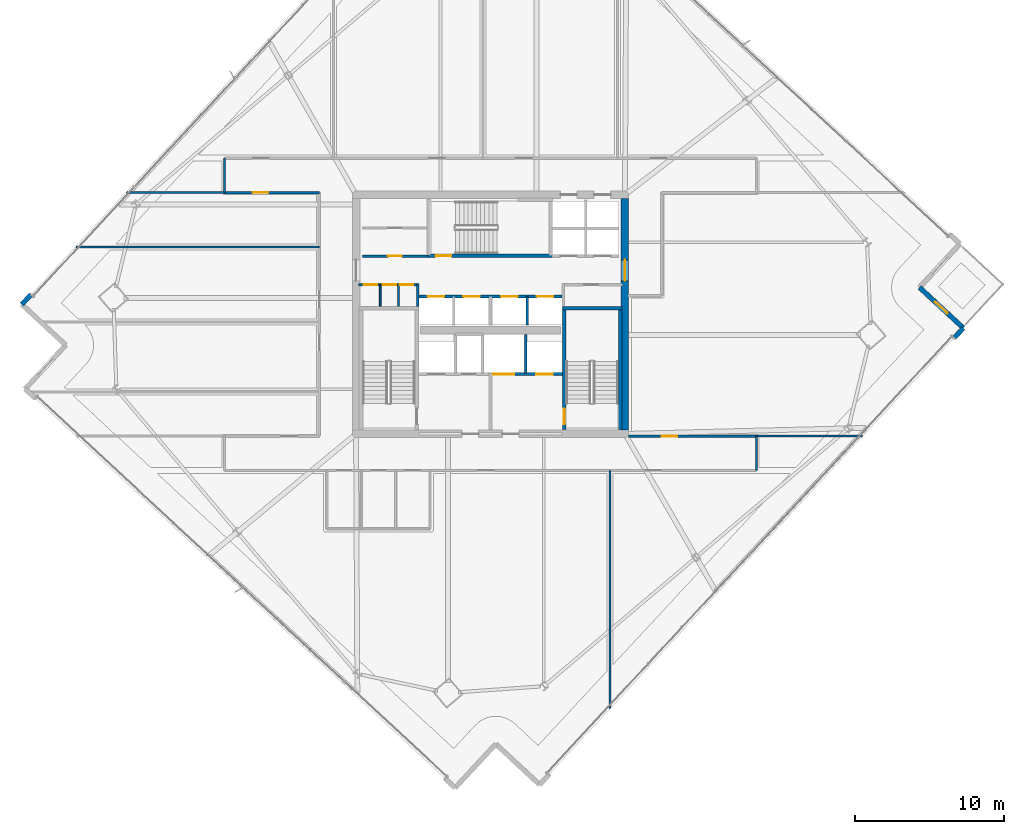
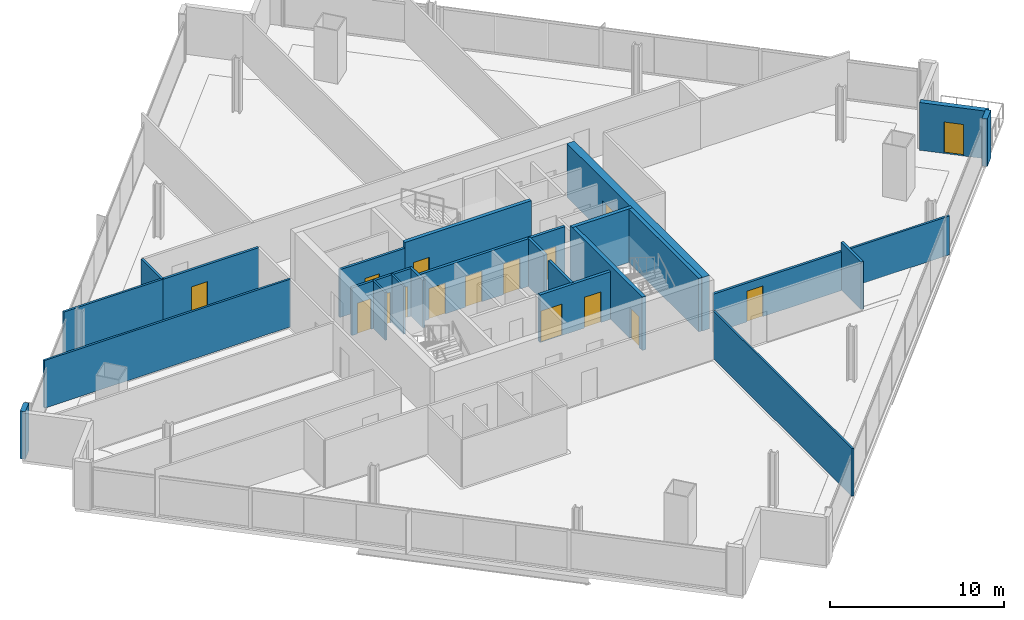
# One storey, part 25 of 32: 25 walls, 16 doors, 16 openings.
"""IFC4 building model written with IfcOpenShell, lengths in metres."""

from ifc_helpers import new_model, si_unit, direction, frame, frame_2d, origin, place, context, subcontext, project, spatial, rectangle, extrude, material, layer, layer_set, type_object, element, fill, save


model = new_model("IFC4")

# Units and contexts
model_context = context("Model", 3, precision=1e-05, world=origin(), true_north=direction((0.0, 1.0)))
body_context = subcontext(model_context, "Body", "Model", "MODEL_VIEW")
ifc_project = project(units=[si_unit("LENGTHUNIT", "METRE"), si_unit("AREAUNIT", "SQUARE_METRE"), si_unit("VOLUMEUNIT", "CUBIC_METRE"), si_unit("PLANEANGLEUNIT", "RADIAN"), si_unit("MASSUNIT", "GRAM", prefix="KILO")], contexts=[model_context])

# Site, building, storey
site_placement = place(None, origin())
site = spatial("IfcSite", under=ifc_project, at=site_placement, CompositionType="ELEMENT")
building_placement = place(site_placement, origin())
building = spatial("IfcBuilding", under=site, at=building_placement, Name="Haldenkirk Collegiate Tower", CompositionType="ELEMENT")
storey_placement = place(building_placement, frame((0.0, 0.0, 185.699951171875)))
storey = spatial("IfcBuildingStorey", under=building, at=storey_placement, Name="L46", CompositionType="ELEMENT", Elevation=185.699951171875)

# Wall, opening, door
ifc_material_1 = material(Name="Concrete f'c 55 MPa", Category="concrete")
ifc_layer_1 = layer(ifc_material_1, 0.5)
ifc_layer_set_1 = layer_set([ifc_layer_1], Name="Concrete f'c 55 MPa")
wall_type_1 = type_object("IfcWallType", Name="WL-CORE-500", PredefinedType="SHEAR", material=ifc_layer_set_1)
wall_1_placement = place(storey_placement, frame((45.0, 18.25, 0.0), z_axis=(0.0, 0.0, 1.0), x_axis=(0.0, 1.0, 0.0)))
wall_1 = element("IfcWall", 1, at=wall_1_placement, inside=storey, type_object=wall_type_1, Name="L46 central core shear wall E", PredefinedType="SHEAR", context=body_context, shape_type="SweptSolid", body=[
    extrude(rectangle(XDim=15.5, YDim=0.5, at=frame_2d((7.75, 0.0))), origin(), (0.0, 0.0, 1.0), 3.75),
])
opening_1_placement = place(wall_1_placement, frame((9.989990234375, 0.0, 0.0)))
opening_1 = element("IfcOpeningElement", 2, at=opening_1_placement, cuts=wall_1, Name="Opening D-03", PredefinedType="OPENING", context=body_context, shape_type="SweptSolid", body=[
    extrude(rectangle(XDim=1.39990234375, YDim=2.199951171875, at=frame_2d((0.699951171875, 1.10009765625))), frame((0.0, 0.260009765625, 0.0), z_axis=(0.0, -1.0, 0.0), x_axis=(1.0, 0.0, 0.0)), (0.0, 0.0, 1.0), 0.52001953125),
])
ifc_material_2 = material(Name="Galvanized fire-rated hollow steel door", Category="steel")
ifc_layer_2 = layer(ifc_material_2, 0.06005859375)
ifc_layer_set_2 = layer_set([ifc_layer_2], Name="Galvanized fire-rated hollow steel door")
door_type_1 = type_object("IfcDoorType", Name="DR-LOBBY-FD90-1400", OperationType="NOTDEFINED", PredefinedType="DOOR", material=ifc_layer_set_2)
door_1_placement = place(opening_1_placement, origin())
door_1 = element("IfcDoor", 3, at=door_1_placement, inside=storey, type_object=door_type_1, Name="L46 east lift lobby portal", OperationType="DOUBLE_DOOR_SINGLE_SWING", OverallHeight=2.199951171875, OverallWidth=1.39990234375, PredefinedType="DOOR", context=body_context, shape_type="SweptSolid", body=[
    extrude(rectangle(XDim=1.39990234375, YDim=2.199951171875, at=frame_2d((0.699951171875, 1.10009765625))), frame((0.0, 0.02490234375, 0.0), z_axis=(0.0, -1.0, 0.0), x_axis=(1.0, 0.0, 0.0)), (0.0, 0.0, 1.0), 0.050048828125),
])
fill(opening_1, door_1)

# Wall
ifc_material_3 = material(Name="Precast concrete f'c 40 MPa", Category="concrete")
ifc_layer_3 = layer(ifc_material_3, 0.320068359375)
ifc_layer_set_3 = layer_set([ifc_layer_3], Name="Precast concrete f'c 40 MPa")
wall_type_2 = type_object("IfcWallType", Name="WL-EXT-TWR-320", PredefinedType="STANDARD", material=ifc_layer_set_3)
wall_2_placement = place(storey_placement, frame((67.646728515625, 25.0830078125, 0.0), z_axis=(0.0, 0.0, 1.0), x_axis=(-0.680024415169, -0.733189467173, 0.0)))
element("IfcWall", 4, at=wall_2_placement, inside=storey, type_object=wall_type_2, Name="L46 precast corner pier SL", PredefinedType="STANDARD", context=body_context, shape_type="SweptSolid", body=[
    extrude(rectangle(XDim=0.900146484375, YDim=0.320068359375, at=frame_2d((0.4501953125, 0.0))), origin(), (0.0, 0.0, 1.0), 3.340087890625),
])

# Wall, opening, door
wall_3_placement = place(storey_placement, frame((64.714111328125, 27.80322265625, 0.0), z_axis=(0.0, 0.0, 1.0), x_axis=(0.733158595841, -0.68005769854, 0.0)))
wall_3 = element("IfcWall", 5, at=wall_3_placement, inside=storey, type_object=wall_type_2, Name="L46 bronze precast notch wall 02", PredefinedType="STANDARD", context=body_context, shape_type="SweptSolid", body=[
    extrude(rectangle(XDim=4.0, YDim=0.320068359375, at=frame_2d((2.0, 0.0))), origin(), (0.0, 0.0, 1.0), 3.340087890625),
])
opening_2_placement = place(wall_3_placement, frame((1.425048828125, 0.0, 0.0)))
opening_2 = element("IfcOpeningElement", 6, at=opening_2_placement, cuts=wall_3, Name="Opening D-ST11", PredefinedType="OPENING", context=body_context, shape_type="SweptSolid", body=[
    extrude(rectangle(XDim=1.14990234375, YDim=2.199951171875, at=frame_2d((0.574951171875, 1.10009765625))), frame((0.0, 0.169921875, 0.0), z_axis=(0.0, -1.0, 0.0), x_axis=(1.0, 0.0, 0.0)), (0.0, 0.0, 1.0), 0.340087890625),
])
ifc_material_4 = material(Name="Anodised architectural bronze aluminium", Category="aluminium")
ifc_layer_4 = layer(ifc_material_4, 0.080078125)
ifc_layer_set_4 = layer_set([ifc_layer_4], Name="Anodised architectural bronze aluminium")
door_type_2 = type_object("IfcDoorType", Name="DR-EXT-STER-1150", OperationType="NOTDEFINED", PredefinedType="DOOR", material=ifc_layer_set_4)
door_2_placement = place(opening_2_placement, origin())
door_2 = element("IfcDoor", 7, at=door_2_placement, inside=storey, type_object=door_type_2, Name="L46 spiralling terrace door", OperationType="SINGLE_SWING_LEFT", OverallHeight=2.199951171875, OverallWidth=1.14990234375, PredefinedType="DOOR", context=body_context, shape_type="SweptSolid", body=[
    extrude(rectangle(XDim=1.14990234375, YDim=2.199951171875, at=frame_2d((0.574951171875, 1.10009765625))), frame((0.0, 0.02490234375, 0.0), z_axis=(0.0, -1.0, 0.0), x_axis=(1.0, 0.0, 0.0)), (0.0, 0.0, 1.0), 0.050048828125),
])
fill(opening_2, door_2)

# Wall
wall_4_placement = place(storey_placement, frame((4.628173828125, 26.662109375, 0.0), z_axis=(0.0, 0.0, 1.0), x_axis=(0.680159672281, 0.733063994616, 0.0)))
element("IfcWall", 8, at=wall_4_placement, inside=storey, type_object=wall_type_2, Name="L46 precast corner pier NL", PredefinedType="STANDARD", context=body_context, shape_type="SweptSolid", body=[
    extrude(rectangle(XDim=0.89990234375, YDim=0.320068359375, at=frame_2d((0.449951171875, 0.0))), origin(), (0.0, 0.0, 1.0), 3.340087890625),
])

# Wall, openings, doors
ifc_material_5 = material(Name="Acoustic fire-rated gypsum partition", Category="concrete")
ifc_layer_5 = layer(ifc_material_5, 0.159912109375)
ifc_layer_set_5 = layer_set([ifc_layer_5], Name="Acoustic fire-rated gypsum partition")
wall_type_3 = type_object("IfcWallType", Name="WL-INT-CORR-160", PredefinedType="PARTITIONING", material=ifc_layer_set_5)
wall_5_placement = place(storey_placement, frame((27.14990234375, 27.97998046875, 0.0), z_axis=(0.0, 0.0, 1.0), x_axis=(1.0, 0.0, 0.0)))
wall_5 = element("IfcWall", 9, at=wall_5_placement, inside=storey, type_object=wall_type_3, Name="L46 interior partition IW-L46-VCSW-N", PredefinedType="PARTITIONING", context=body_context, shape_type="SweptSolid", body=[
    extrude(rectangle(XDim=4.050048828125, YDim=0.159912109375, at=frame_2d((2.02490234375, 0.0))), origin(), (0.0, 0.0, 1.0), 3.340087890625),
])
opening_3_placement = place(wall_5_placement, frame((0.360107421875, 0.0, 0.0)))
opening_3 = element("IfcOpeningElement", 10, at=opening_3_placement, cuts=wall_5, Name="Opening D-11", PredefinedType="OPENING", context=body_context, shape_type="SweptSolid", body=[
    extrude(rectangle(XDim=0.89990234375, YDim=2.14990234375, at=frame_2d((0.449951171875, 1.074951171875))), frame((0.0, 0.08984375, 0.0), z_axis=(0.0, -1.0, 0.0), x_axis=(1.0, 0.0, 0.0)), (0.0, 0.0, 1.0), 0.179931640625),
])
opening_4_placement = place(wall_5_placement, frame((1.6298828125, 0.0, 0.0)))
opening_4 = element("IfcOpeningElement", 11, at=opening_4_placement, cuts=wall_5, Name="Opening D-11", PredefinedType="OPENING", context=body_context, shape_type="SweptSolid", body=[
    extrude(rectangle(XDim=0.89990234375, YDim=2.14990234375, at=frame_2d((0.449951171875, 1.074951171875))), frame((0.0, 0.08984375, 0.0), z_axis=(0.0, -1.0, 0.0), x_axis=(1.0, 0.0, 0.0)), (0.0, 0.0, 1.0), 0.179931640625),
])
opening_5_placement = place(wall_5_placement, frame((2.78759765625, 0.0, 0.0)))
opening_5 = element("IfcOpeningElement", 12, at=opening_5_placement, cuts=wall_5, Name="Opening D-11", PredefinedType="OPENING", context=body_context, shape_type="SweptSolid", body=[
    extrude(rectangle(XDim=0.89990234375, YDim=2.14990234375, at=frame_2d((0.449951171875, 1.074951171875))), frame((0.0, 0.08984375, 0.0), z_axis=(0.0, -1.0, 0.0), x_axis=(1.0, 0.0, 0.0)), (0.0, 0.0, 1.0), 0.179931640625),
])
ifc_material_6 = material(Name="Solid-core architectural oak fire door", Category="wood")
ifc_layer_6 = layer(ifc_material_6, 0.06005859375)
ifc_layer_set_6 = layer_set([ifc_layer_6], Name="Solid-core architectural oak fire door")
door_type_3 = type_object("IfcDoorType", Name="DR-INT-FD60-900", OperationType="NOTDEFINED", PredefinedType="DOOR", material=ifc_layer_set_6)
door_3_placement = place(opening_3_placement, origin())
door_3 = element("IfcDoor", 13, at=door_3_placement, inside=storey, type_object=door_type_3, Name="L46 core study booth door", OperationType="SINGLE_SWING_LEFT", OverallHeight=2.14990234375, OverallWidth=0.89990234375, PredefinedType="DOOR", context=body_context, shape_type="SweptSolid", body=[
    extrude(rectangle(XDim=0.89990234375, YDim=2.14990234375, at=frame_2d((0.449951171875, 1.074951171875))), frame((0.0, 0.02490234375, 0.0), z_axis=(0.0, -1.0, 0.0), x_axis=(1.0, 0.0, 0.0)), (0.0, 0.0, 1.0), 0.050048828125),
])
fill(opening_3, door_3)
door_4_placement = place(opening_4_placement, origin())
door_4 = element("IfcDoor", 14, at=door_4_placement, inside=storey, type_object=door_type_3, Name="L46 core cleaners door", OperationType="SINGLE_SWING_RIGHT", OverallHeight=2.14990234375, OverallWidth=0.89990234375, PredefinedType="DOOR", context=body_context, shape_type="SweptSolid", body=[
    extrude(rectangle(XDim=0.89990234375, YDim=2.14990234375, at=frame_2d((0.449951171875, 1.074951171875))), frame((0.0, 0.02490234375, 0.0), z_axis=(0.0, -1.0, 0.0), x_axis=(1.0, 0.0, 0.0)), (0.0, 0.0, 1.0), 0.050048828125),
])
fill(opening_4, door_4)
door_5_placement = place(opening_5_placement, origin())
door_5 = element("IfcDoor", 15, at=door_5_placement, inside=storey, type_object=door_type_3, Name="L46 core stationery door", OperationType="SINGLE_SWING_LEFT", OverallHeight=2.14990234375, OverallWidth=0.89990234375, PredefinedType="DOOR", context=body_context, shape_type="SweptSolid", body=[
    extrude(rectangle(XDim=0.89990234375, YDim=2.14990234375, at=frame_2d((0.449951171875, 1.074951171875))), frame((0.0, 0.02490234375, 0.0), z_axis=(0.0, -1.0, 0.0), x_axis=(1.0, 0.0, 0.0)), (0.0, 0.0, 1.0), 0.050048828125),
])
fill(opening_5, door_5)

# Wall
wall_6_placement = place(storey_placement, frame((31.1201171875, 26.5400390625, 0.0), z_axis=(0.0, 0.0, 1.0), x_axis=(0.0, 1.0, 0.0)))
element("IfcWall", 16, at=wall_6_placement, inside=storey, type_object=wall_type_3, Name="L46 interior partition IW-L46-VCSW-E", PredefinedType="PARTITIONING", context=body_context, shape_type="SweptSolid", body=[
    extrude(rectangle(XDim=1.510009765625, YDim=0.159912109375, at=frame_2d((0.7548828125, 0.0))), origin(), (0.0, 0.0, 1.0), 3.340087890625),
])

# Wall, opening, door
wall_7_placement = place(storey_placement, frame((27.449951171875, 29.89990234375, 0.0), z_axis=(0.0, 0.0, 1.0), x_axis=(1.0, 0.0, 0.0)))
wall_7 = element("IfcWall", 17, at=wall_7_placement, inside=storey, type_object=wall_type_3, Name="L46 interior partition IW-L46-PLS", PredefinedType="PARTITIONING", context=body_context, shape_type="SweptSolid", body=[
    extrude(rectangle(XDim=4.429931640625, YDim=0.159912109375, at=frame_2d((2.21484375, 0.0))), origin(), (0.0, 0.0, 1.0), 3.340087890625),
])
opening_6_placement = place(wall_7_placement, frame((1.675048828125, 0.0, 0.0)))
opening_6 = element("IfcOpeningElement", 18, at=opening_6_placement, cuts=wall_7, Name="Opening D-10", PredefinedType="OPENING", context=body_context, shape_type="SweptSolid", body=[
    extrude(rectangle(XDim=0.949951171875, YDim=2.14990234375, at=frame_2d((0.47509765625, 1.074951171875))), frame((0.0, 0.08984375, 0.0), z_axis=(0.0, -1.0, 0.0), x_axis=(1.0, 0.0, 0.0)), (0.0, 0.0, 1.0), 0.179931640625),
])
ifc_layer_7 = layer(ifc_material_6, 0.06005859375)
ifc_layer_set_7 = layer_set([ifc_layer_7], Name="Solid-core architectural oak fire door")
door_type_4 = type_object("IfcDoorType", Name="DR-INT-FD60-950", OperationType="NOTDEFINED", PredefinedType="DOOR", material=ifc_layer_set_7)
door_6_placement = place(opening_6_placement, origin())
door_6 = element("IfcDoor", 19, at=door_6_placement, inside=storey, type_object=door_type_4, Name="L46 consultation door", OperationType="SINGLE_SWING_LEFT", OverallHeight=2.14990234375, OverallWidth=0.949951171875, PredefinedType="DOOR", context=body_context, shape_type="SweptSolid", body=[
    extrude(rectangle(XDim=0.949951171875, YDim=2.14990234375, at=frame_2d((0.47509765625, 1.074951171875))), frame((0.0, 0.02490234375, 0.0), z_axis=(0.0, -1.0, 0.0), x_axis=(1.0, 0.0, 0.0)), (0.0, 0.0, 1.0), 0.050048828125),
])
fill(opening_6, door_6)

wall_8_placement = place(storey_placement, frame((45.25, 17.85009765625, 0.0), z_axis=(0.0, 0.0, 1.0), x_axis=(1.0, 0.0, 0.0)))
wall_8 = element("IfcWall", 20, at=wall_8_placement, inside=storey, type_object=wall_type_3, Name="L46 interior partition IW-L46-CSE", PredefinedType="PARTITIONING", context=body_context, shape_type="SweptSolid", body=[
    extrude(rectangle(XDim=8.550048828125, YDim=0.159912109375, at=frame_2d((4.27490234375, 0.0))), origin(), (0.0, 0.0, 1.0), 2.718994140625),
])
opening_7_placement = place(wall_8_placement, frame((2.2109375, 0.0, 0.0)))
opening_7 = element("IfcOpeningElement", 21, at=opening_7_placement, cuts=wall_8, Name="Opening D-09", PredefinedType="OPENING", context=body_context, shape_type="SweptSolid", body=[
    extrude(rectangle(XDim=1.050048828125, YDim=2.14990234375, at=frame_2d((0.52490234375, 1.074951171875))), frame((0.0, 0.08984375, 0.0), z_axis=(0.0, -1.0, 0.0), x_axis=(1.0, 0.0, 0.0)), (0.0, 0.0, 1.0), 0.179931640625),
])
ifc_layer_8 = layer(ifc_material_6, 0.06005859375)
ifc_layer_set_8 = layer_set([ifc_layer_8], Name="Solid-core architectural oak fire door")
door_type_5 = type_object("IfcDoorType", Name="DR-INT-FD60-1050", OperationType="NOTDEFINED", PredefinedType="DOOR", material=ifc_layer_set_8)
door_7_placement = place(opening_7_placement, origin())
door_7 = element("IfcDoor", 22, at=door_7_placement, inside=storey, type_object=door_type_5, Name="L46 Graduate Seminar Room 11 door", OperationType="SINGLE_SWING_RIGHT", OverallHeight=2.14990234375, OverallWidth=1.050048828125, PredefinedType="DOOR", context=body_context, shape_type="SweptSolid", body=[
    extrude(rectangle(XDim=1.050048828125, YDim=2.14990234375, at=frame_2d((0.52490234375, 1.074951171875))), frame((0.0, 0.02490234375, 0.0), z_axis=(0.0, -1.0, 0.0), x_axis=(1.0, 0.0, 0.0)), (0.0, 0.0, 1.0), 0.050048828125),
])
fill(opening_7, door_7)

wall_9_placement = place(storey_placement, frame((18.199951171875, 34.14990234375, 0.0), z_axis=(0.0, 0.0, 1.0), x_axis=(1.0, 0.0, 0.0)))
wall_9 = element("IfcWall", 23, at=wall_9_placement, inside=storey, type_object=wall_type_3, Name="L46 interior partition IW-L46-CNW", PredefinedType="PARTITIONING", context=body_context, shape_type="SweptSolid", body=[
    extrude(rectangle(XDim=6.35009765625, YDim=0.159912109375, at=frame_2d((3.175048828125, 0.0))), origin(), (0.0, 0.0, 1.0), 3.340087890625),
])
opening_8_placement = place(wall_9_placement, frame((1.887939453125, 0.0, 0.0)))
opening_8 = element("IfcOpeningElement", 24, at=opening_8_placement, cuts=wall_9, Name="Opening D-09", PredefinedType="OPENING", context=body_context, shape_type="SweptSolid", body=[
    extrude(rectangle(XDim=1.050048828125, YDim=2.14990234375, at=frame_2d((0.52490234375, 1.074951171875))), frame((0.0, 0.08984375, 0.0), z_axis=(0.0, -1.0, 0.0), x_axis=(1.0, 0.0, 0.0)), (0.0, 0.0, 1.0), 0.179931640625),
])
door_8_placement = place(opening_8_placement, origin())
door_8 = element("IfcDoor", 25, at=door_8_placement, inside=storey, type_object=door_type_5, Name="L46 Faculty Tea Kitchen 10 door", OperationType="SINGLE_SWING_LEFT", OverallHeight=2.14990234375, OverallWidth=1.050048828125, PredefinedType="DOOR", context=body_context, shape_type="SweptSolid", body=[
    extrude(rectangle(XDim=1.050048828125, YDim=2.14990234375, at=frame_2d((0.52490234375, 1.074951171875))), frame((0.0, 0.02490234375, 0.0), z_axis=(0.0, -1.0, 0.0), x_axis=(1.0, 0.0, 0.0)), (0.0, 0.0, 1.0), 0.050048828125),
])
fill(opening_8, door_8)

# Walls
for number, where, z_axis, x_axis, name in (
    (26, (53.800048828125, 15.550048828125, 0.0), (0.0, 0.0, 1.0), (0.0, 1.0, 0.0), "L46 interior partition IW-L46-CSR"),
    (27, (18.199951171875, 34.14990234375, 0.0), (0.0, 0.0, 1.0), (0.0, 1.0, 0.0), "L46 interior partition IW-L46-CNL"),
):
    element("IfcWall", number, at=place(storey_placement, frame(where, z_axis=z_axis, x_axis=x_axis)), inside=storey, type_object=wall_type_3, Name=name, PredefinedType="PARTITIONING", context=body_context, shape_type="SweptSolid", body=[
        extrude(rectangle(XDim=2.300048828125, YDim=0.159912109375, at=frame_2d((1.14990234375, 0.0))), origin(), (0.0, 0.0, 1.0), 3.340087890625),
    ])
ifc_layer_9 = layer(ifc_material_5, 0.139892578125)
ifc_layer_set_9 = layer_set([ifc_layer_9], Name="Acoustic fire-rated gypsum partition")
wall_type_4 = type_object("IfcWallType", Name="WL-INT-DIV-140", PredefinedType="PARTITIONING", material=ifc_layer_set_9)
wall_10_placement = place(storey_placement, frame((11.62890625, 34.14990234375, 0.0), z_axis=(0.0, 0.0, 1.0), x_axis=(1.0, 0.0, 0.0)))
element("IfcWall", 28, at=wall_10_placement, inside=storey, type_object=wall_type_4, Name="L46 interior partition IW-L46-BWN", PredefinedType="PARTITIONING", context=body_context, shape_type="SweptSolid", body=[
    extrude(rectangle(XDim=6.571044921875, YDim=0.139892578125, at=frame_2d((3.28564453125, 0.0))), origin(), (0.0, 0.0, 1.0), 3.340087890625),
])
wall_11_placement = place(storey_placement, frame((53.800048828125, 17.85009765625, 0.0), z_axis=(0.0, 0.0, 1.0), x_axis=(1.0, 0.0, 0.0)))
element("IfcWall", 29, at=wall_11_placement, inside=storey, type_object=wall_type_4, Name="L46 interior partition IW-L46-BES", PredefinedType="PARTITIONING", context=body_context, shape_type="SweptSolid", body=[
    extrude(rectangle(XDim=7.08251953125, YDim=0.139892578125, at=frame_2d((3.541259765625, 0.0))), origin(), (0.0, 0.0, 1.0), 2.718994140625),
])
wall_12_placement = place(storey_placement, frame((8.242919921875, 30.5, 0.0), z_axis=(0.0, 0.0, 1.0), x_axis=(1.0, 0.0, 0.0)))
element("IfcWall", 30, at=wall_12_placement, inside=storey, type_object=wall_type_4, Name="L46 interior partition IW-L46-RW3", PredefinedType="PARTITIONING", context=body_context, shape_type="SweptSolid", body=[
    extrude(rectangle(XDim=16.30712890625, YDim=0.139892578125, at=frame_2d((8.153564453125, 0.0))), origin(), (0.0, 0.0, 1.0), 3.340087890625),
])
ifc_material_7 = material(Name="Fire-rated gypsum shaftboard assembly", Category="concrete")
ifc_layer_10 = layer(ifc_material_7, 0.179931640625)
ifc_layer_set_10 = layer_set([ifc_layer_10], Name="Fire-rated gypsum shaftboard assembly")
wall_type_5 = type_object("IfcWallType", Name="WL-INT-SHAFT-180", PredefinedType="PARTITIONING", material=ifc_layer_set_10)
wall_13_placement = place(storey_placement, frame((38.35009765625, 22.050048828125, 0.0), z_axis=(0.0, 0.0, 1.0), x_axis=(0.0, 1.0, 0.0)))
element("IfcWall", 31, at=wall_13_placement, inside=storey, type_object=wall_type_5, Name="L46 interior partition IW-L46-GL1E", PredefinedType="PARTITIONING", context=body_context, shape_type="SweptSolid", body=[
    extrude(rectangle(XDim=2.599853515625, YDim=0.179931640625, at=frame_2d((1.2998046875, 0.0))), origin(), (0.0, 0.0, 1.0), 3.340087890625),
])

# Wall, openings, doors
wall_14_placement = place(storey_placement, frame((31.199951171875, 27.199951171875, 0.0), z_axis=(0.0, 0.0, 1.0), x_axis=(1.0, 0.0, 0.0)))
wall_14 = element("IfcWall", 32, at=wall_14_placement, inside=storey, type_object=wall_type_5, Name="L46 interior partition IW-L46-PHN", PredefinedType="PARTITIONING", context=body_context, shape_type="SweptSolid", body=[
    extrude(rectangle(XDim=9.60009765625, YDim=0.179931640625, at=frame_2d((4.800048828125, 0.0))), origin(), (0.0, 0.0, 1.0), 3.340087890625),
])
opening_9_placement = place(wall_14_placement, frame((0.590087890625, 0.0, 0.0)))
opening_9 = element("IfcOpeningElement", 33, at=opening_9_placement, cuts=wall_14, Name="Opening LD-11", PredefinedType="OPENING", context=body_context, shape_type="SweptSolid", body=[
    extrude(rectangle(XDim=1.10009765625, YDim=2.14990234375, at=frame_2d((0.550048828125, 1.074951171875))), frame((0.0, 0.099853515625, 0.0), z_axis=(0.0, -1.0, 0.0), x_axis=(1.0, 0.0, 0.0)), (0.0, 0.0, 1.0), 0.199951171875),
])
opening_10_placement = place(wall_14_placement, frame((2.989990234375, 0.0, 0.0)))
opening_10 = element("IfcOpeningElement", 34, at=opening_10_placement, cuts=wall_14, Name="Opening LD-11", PredefinedType="OPENING", context=body_context, shape_type="SweptSolid", body=[
    extrude(rectangle(XDim=1.10009765625, YDim=2.14990234375, at=frame_2d((0.550048828125, 1.074951171875))), frame((0.0, 0.099853515625, 0.0), z_axis=(0.0, -1.0, 0.0), x_axis=(1.0, 0.0, 0.0)), (0.0, 0.0, 1.0), 0.199951171875),
])
opening_11_placement = place(wall_14_placement, frame((5.510009765625, 0.0, 0.0)))
opening_11 = element("IfcOpeningElement", 35, at=opening_11_placement, cuts=wall_14, Name="Opening LD-11", PredefinedType="OPENING", context=body_context, shape_type="SweptSolid", body=[
    extrude(rectangle(XDim=1.10009765625, YDim=2.14990234375, at=frame_2d((0.550048828125, 1.074951171875))), frame((0.0, 0.099853515625, 0.0), z_axis=(0.0, -1.0, 0.0), x_axis=(1.0, 0.0, 0.0)), (0.0, 0.0, 1.0), 0.199951171875),
])
opening_12_placement = place(wall_14_placement, frame((7.909912109375, 0.0, 0.0)))
opening_12 = element("IfcOpeningElement", 36, at=opening_12_placement, cuts=wall_14, Name="Opening LD-11", PredefinedType="OPENING", context=body_context, shape_type="SweptSolid", body=[
    extrude(rectangle(XDim=1.10009765625, YDim=2.14990234375, at=frame_2d((0.550048828125, 1.074951171875))), frame((0.0, 0.099853515625, 0.0), z_axis=(0.0, -1.0, 0.0), x_axis=(1.0, 0.0, 0.0)), (0.0, 0.0, 1.0), 0.199951171875),
])
ifc_material_8 = material(Name="Brushed architectural stainless steel", Category="steel")
ifc_layer_11 = layer(ifc_material_8, 0.06005859375)
ifc_layer_set_11 = layer_set([ifc_layer_11], Name="Brushed architectural stainless steel")
door_type_6 = type_object("IfcDoorType", Name="LD-PASS-1100", OperationType="NOTDEFINED", PredefinedType="DOOR", material=ifc_layer_set_11)
door_9_placement = place(opening_9_placement, origin())
door_9 = element("IfcDoor", 37, at=door_9_placement, inside=storey, type_object=door_type_6, Name="L46 Elevator PH1 sliding landing door", OperationType="SLIDING_TO_LEFT", OverallHeight=2.14990234375, OverallWidth=1.10009765625, PredefinedType="DOOR", context=body_context, shape_type="SweptSolid", body=[
    extrude(rectangle(XDim=1.10009765625, YDim=2.14990234375, at=frame_2d((0.550048828125, 1.074951171875))), frame((0.0, 0.02490234375, 0.0), z_axis=(0.0, -1.0, 0.0), x_axis=(1.0, 0.0, 0.0)), (0.0, 0.0, 1.0), 0.050048828125),
])
fill(opening_9, door_9)
door_10_placement = place(opening_10_placement, origin())
door_10 = element("IfcDoor", 38, at=door_10_placement, inside=storey, type_object=door_type_6, Name="L46 Elevator PH2 sliding landing door", OperationType="SLIDING_TO_LEFT", OverallHeight=2.14990234375, OverallWidth=1.10009765625, PredefinedType="DOOR", context=body_context, shape_type="SweptSolid", body=[
    extrude(rectangle(XDim=1.10009765625, YDim=2.14990234375, at=frame_2d((0.550048828125, 1.074951171875))), frame((0.0, 0.02490234375, 0.0), z_axis=(0.0, -1.0, 0.0), x_axis=(1.0, 0.0, 0.0)), (0.0, 0.0, 1.0), 0.050048828125),
])
fill(opening_10, door_10)
door_11_placement = place(opening_11_placement, origin())
door_11 = element("IfcDoor", 39, at=door_11_placement, inside=storey, type_object=door_type_6, Name="L46 Elevator PH3 sliding landing door", OperationType="SLIDING_TO_LEFT", OverallHeight=2.14990234375, OverallWidth=1.10009765625, PredefinedType="DOOR", context=body_context, shape_type="SweptSolid", body=[
    extrude(rectangle(XDim=1.10009765625, YDim=2.14990234375, at=frame_2d((0.550048828125, 1.074951171875))), frame((0.0, 0.02490234375, 0.0), z_axis=(0.0, -1.0, 0.0), x_axis=(1.0, 0.0, 0.0)), (0.0, 0.0, 1.0), 0.050048828125),
])
fill(opening_11, door_11)
door_12_placement = place(opening_12_placement, origin())
door_12 = element("IfcDoor", 40, at=door_12_placement, inside=storey, type_object=door_type_6, Name="L46 Elevator PH4 sliding landing door", OperationType="SLIDING_TO_LEFT", OverallHeight=2.14990234375, OverallWidth=1.10009765625, PredefinedType="DOOR", context=body_context, shape_type="SweptSolid", body=[
    extrude(rectangle(XDim=1.10009765625, YDim=2.14990234375, at=frame_2d((0.550048828125, 1.074951171875))), frame((0.0, 0.02490234375, 0.0), z_axis=(0.0, -1.0, 0.0), x_axis=(1.0, 0.0, 0.0)), (0.0, 0.0, 1.0), 0.050048828125),
])
fill(opening_12, door_12)

# Wall
wall_15_placement = place(storey_placement, frame((38.4599609375, 25.300048828125, 0.0), z_axis=(0.0, 0.0, 1.0), x_axis=(0.0, 1.0, 0.0)))
element("IfcWall", 41, at=wall_15_placement, inside=storey, type_object=wall_type_5, Name="L46 interior partition IW-L46-PHV3", PredefinedType="PARTITIONING", context=body_context, shape_type="SweptSolid", body=[
    extrude(rectangle(XDim=1.89990234375, YDim=0.179931640625, at=frame_2d((0.949951171875, 0.0))), origin(), (0.0, 0.0, 1.0), 3.340087890625),
])

# Wall, openings, doors
ifc_layer_12 = layer(ifc_material_7, 0.199951171875)
ifc_layer_set_12 = layer_set([ifc_layer_12], Name="Fire-rated gypsum shaftboard assembly")
wall_type_6 = type_object("IfcWallType", Name="WL-INT-SHAFT-200", PredefinedType="PARTITIONING", material=ifc_layer_set_12)
wall_16_placement = place(storey_placement, frame((36.1201171875, 22.0, 0.0), z_axis=(0.0, 0.0, 1.0), x_axis=(1.0, 0.0, 0.0)))
wall_16 = element("IfcWall", 42, at=wall_16_placement, inside=storey, type_object=wall_type_6, Name="L46 interior partition IW-L46-FFL2N", PredefinedType="PARTITIONING", context=body_context, shape_type="SweptSolid", body=[
    extrude(rectangle(XDim=4.68994140625, YDim=0.199951171875, at=frame_2d((2.344970703125, 0.0))), origin(), (0.0, 0.0, 1.0), 3.340087890625),
])
opening_13_placement = place(wall_16_placement, frame((2.955078125, 0.0, 0.0)))
opening_13 = element("IfcOpeningElement", 43, at=opening_13_placement, cuts=wall_16, Name="Opening LD-12", PredefinedType="OPENING", context=body_context, shape_type="SweptSolid", body=[
    extrude(rectangle(XDim=1.10009765625, YDim=2.14990234375, at=frame_2d((0.550048828125, 1.074951171875))), frame((0.0, 0.10986328125, 0.0), z_axis=(0.0, -1.0, 0.0), x_axis=(1.0, 0.0, 0.0)), (0.0, 0.0, 1.0), 0.219970703125),
])
opening_14_placement = place(wall_16_placement, frame((0.080078125, 0.0, 0.0)))
opening_14 = element("IfcOpeningElement", 44, at=opening_14_placement, cuts=wall_16, Name="Opening LD-13", PredefinedType="OPENING", context=body_context, shape_type="SweptSolid", body=[
    extrude(rectangle(XDim=1.39990234375, YDim=2.199951171875, at=frame_2d((0.699951171875, 1.10009765625))), frame((0.0, 0.10986328125, 0.0), z_axis=(0.0, -1.0, 0.0), x_axis=(1.0, 0.0, 0.0)), (0.0, 0.0, 1.0), 0.219970703125),
])
ifc_layer_13 = layer(ifc_material_8, 0.06005859375)
ifc_layer_set_13 = layer_set([ifc_layer_13], Name="Brushed architectural stainless steel")
door_type_7 = type_object("IfcDoorType", Name="LD-FIRE-1100", OperationType="NOTDEFINED", PredefinedType="DOOR", material=ifc_layer_set_13)
door_13_placement = place(opening_13_placement, origin())
door_13 = element("IfcDoor", 45, at=door_13_placement, inside=storey, type_object=door_type_7, Name="L46 Elevator FL2 sliding landing door", OperationType="SLIDING_TO_LEFT", OverallHeight=2.14990234375, OverallWidth=1.10009765625, PredefinedType="DOOR", context=body_context, shape_type="SweptSolid", body=[
    extrude(rectangle(XDim=1.10009765625, YDim=2.14990234375, at=frame_2d((0.550048828125, 1.074951171875))), frame((0.0, 0.02490234375, 0.0), z_axis=(0.0, -1.0, 0.0), x_axis=(1.0, 0.0, 0.0)), (0.0, 0.0, 1.0), 0.050048828125),
])
fill(opening_13, door_13)
ifc_layer_14 = layer(ifc_material_8, 0.06005859375)
ifc_layer_set_14 = layer_set([ifc_layer_14], Name="Brushed architectural stainless steel")
door_type_8 = type_object("IfcDoorType", Name="LD-GOODS-1400", OperationType="NOTDEFINED", PredefinedType="DOOR", material=ifc_layer_set_14)
door_14_placement = place(opening_14_placement, origin())
door_14 = element("IfcDoor", 46, at=door_14_placement, inside=storey, type_object=door_type_8, Name="L46 Elevator GL1 sliding landing door", OperationType="SLIDING_TO_LEFT", OverallHeight=2.199951171875, OverallWidth=1.39990234375, PredefinedType="DOOR", context=body_context, shape_type="SweptSolid", body=[
    extrude(rectangle(XDim=1.39990234375, YDim=2.199951171875, at=frame_2d((0.699951171875, 1.10009765625))), frame((0.0, 0.02490234375, 0.0), z_axis=(0.0, -1.0, 0.0), x_axis=(1.0, 0.0, 0.0)), (0.0, 0.0, 1.0), 0.050048828125),
])
fill(opening_14, door_14)

# Walls
ifc_layer_15 = layer(ifc_material_5, 0.1201171875)
ifc_layer_set_15 = layer_set([ifc_layer_15], Name="Acoustic fire-rated gypsum partition")
wall_type_7 = type_object("IfcWallType", Name="WL-INT-WET-120", PredefinedType="PARTITIONING", material=ifc_layer_set_15)
for number, where, z_axis, x_axis, name in (
    (47, (28.6201171875, 26.5400390625, 0.0), (0.0, 0.0, 1.0), (0.0, 1.0, 0.0), "L46 interior partition IW-L46-VCSW-M1"),
    (48, (29.840087890625, 26.5400390625, 0.0), (0.0, 0.0, 1.0), (0.0, 1.0, 0.0), "L46 interior partition IW-L46-VCSW-M2"),
):
    element("IfcWall", number, at=place(storey_placement, frame(where, z_axis=z_axis, x_axis=x_axis)), inside=storey, type_object=wall_type_7, Name=name, PredefinedType="PARTITIONING", context=body_context, shape_type="SweptSolid", body=[
        extrude(rectangle(XDim=1.43994140625, YDim=0.1201171875, at=frame_2d((0.719970703125, 0.0))), origin(), (0.0, 0.0, 1.0), 3.340087890625),
    ])
wall_17_placement = place(storey_placement, frame((44.0, -0.349609375, 0.0), z_axis=(0.0, 0.0, 1.0), x_axis=(0.0, 1.0, 0.0)))
element("IfcWall", 49, at=wall_17_placement, inside=storey, type_object=wall_type_7, Name="L46 interior partition IW-L46-RS1", PredefinedType="PARTITIONING", context=body_context, shape_type="SweptSolid", body=[
    extrude(rectangle(XDim=15.899658203125, YDim=0.1201171875, at=frame_2d((7.94970703125, 0.0))), origin(), (0.0, 0.0, 1.0), 3.340087890625),
])

# Wall, opening, door
ifc_layer_16 = layer(ifc_material_1, 0.239990234375)
ifc_layer_set_16 = layer_set([ifc_layer_16], Name="Concrete f'c 55 MPa")
wall_type_8 = type_object("IfcWallType", Name="WL-SHAFT-240", PredefinedType="SHEAR", material=ifc_layer_set_16)
wall_18_placement = place(storey_placement, frame((40.929931640625, 18.280029296875, 0.0), z_axis=(0.0, 0.0, 1.0), x_axis=(0.0, 1.0, 0.0)))
wall_18 = element("IfcWall", 50, at=wall_18_placement, inside=storey, type_object=wall_type_8, Name="L46 stair shaft shear wall SW-L46-ST2W", PredefinedType="SHEAR", context=body_context, shape_type="SweptSolid", body=[
    extrude(rectangle(XDim=8.260009765625, YDim=0.239990234375, at=frame_2d((4.1298828125, 0.0))), origin(), (0.0, 0.0, 1.0), 3.75),
])
opening_15_placement = place(wall_18_placement, frame((0.364990234375, 0.0, 0.0)))
opening_15 = element("IfcOpeningElement", 51, at=opening_15_placement, cuts=wall_18, Name="Opening D-01", PredefinedType="OPENING", context=body_context, shape_type="SweptSolid", body=[
    extrude(rectangle(XDim=1.050048828125, YDim=2.14990234375, at=frame_2d((0.52490234375, 1.074951171875))), frame((0.0, 0.1298828125, 0.0), z_axis=(0.0, -1.0, 0.0), x_axis=(1.0, 0.0, 0.0)), (0.0, 0.0, 1.0), 0.260009765625),
])
ifc_layer_17 = layer(ifc_material_2, 0.06005859375)
ifc_layer_set_17 = layer_set([ifc_layer_17], Name="Galvanized fire-rated hollow steel door")
door_type_9 = type_object("IfcDoorType", Name="DR-STAIR-FD90-1050", OperationType="NOTDEFINED", PredefinedType="DOOR", material=ifc_layer_set_17)
door_15_placement = place(opening_15_placement, origin())
door_15 = element("IfcDoor", 52, at=door_15_placement, inside=storey, type_object=door_type_9, Name="L46 Stair 2 door", OperationType="SINGLE_SWING_RIGHT", OverallHeight=2.14990234375, OverallWidth=1.050048828125, PredefinedType="DOOR", context=body_context, shape_type="SweptSolid", body=[
    extrude(rectangle(XDim=1.050048828125, YDim=2.14990234375, at=frame_2d((0.52490234375, 1.074951171875))), frame((0.0, 0.02490234375, 0.0), z_axis=(0.0, -1.0, 0.0), x_axis=(1.0, 0.0, 0.0)), (0.0, 0.0, 1.0), 0.050048828125),
])
fill(opening_15, door_15)

# Walls
wall_19_placement = place(storey_placement, frame((40.81005859375, 26.419921875, 0.0), z_axis=(0.0, 0.0, 1.0), x_axis=(1.0, 0.0, 0.0)))
element("IfcWall", 53, at=wall_19_placement, inside=storey, type_object=wall_type_8, Name="L46 stair shaft shear wall SW-L46-ST2N", PredefinedType="SHEAR", context=body_context, shape_type="SweptSolid", body=[
    extrude(rectangle(XDim=3.97998046875, YDim=0.239990234375, at=frame_2d((1.989990234375, 0.0))), origin(), (0.0, 0.0, 1.0), 3.75),
])
wall_20_placement = place(storey_placement, frame((44.669921875, 18.280029296875, 0.0), z_axis=(0.0, 0.0, 1.0), x_axis=(0.0, 1.0, 0.0)))
element("IfcWall", 54, at=wall_20_placement, inside=storey, type_object=wall_type_8, Name="L46 stair shaft shear wall SW-L46-ST2E", PredefinedType="SHEAR", context=body_context, shape_type="SweptSolid", body=[
    extrude(rectangle(XDim=8.260009765625, YDim=0.239990234375, at=frame_2d((4.1298828125, 0.0))), origin(), (0.0, 0.0, 1.0), 3.75),
])

# Wall, opening, door
wall_21_placement = place(storey_placement, frame((31.760009765625, 29.929931640625, 0.0), z_axis=(0.0, 0.0, 1.0), x_axis=(1.0, 0.0, 0.0)))
wall_21 = element("IfcWall", 55, at=wall_21_placement, inside=storey, type_object=wall_type_8, Name="L46 stair shaft shear wall SW-L46-ST3S", PredefinedType="SHEAR", context=body_context, shape_type="SweptSolid", body=[
    extrude(rectangle(XDim=8.3798828125, YDim=0.239990234375, at=frame_2d((4.18994140625, 0.0))), origin(), (0.0, 0.0, 1.0), 3.75),
])
opening_16_placement = place(wall_21_placement, frame((0.56494140625, 0.0, 0.0)))
opening_16 = element("IfcOpeningElement", 56, at=opening_16_placement, cuts=wall_21, Name="Opening D-01", PredefinedType="OPENING", context=body_context, shape_type="SweptSolid", body=[
    extrude(rectangle(XDim=1.050048828125, YDim=2.14990234375, at=frame_2d((0.52490234375, 1.074951171875))), frame((0.0, 0.1298828125, 0.0), z_axis=(0.0, -1.0, 0.0), x_axis=(1.0, 0.0, 0.0)), (0.0, 0.0, 1.0), 0.260009765625),
])
door_16_placement = place(opening_16_placement, origin())
door_16 = element("IfcDoor", 57, at=door_16_placement, inside=storey, type_object=door_type_9, Name="L46 lift lobby Stair 3 door", OperationType="SINGLE_SWING_LEFT", OverallHeight=2.14990234375, OverallWidth=1.050048828125, PredefinedType="DOOR", context=body_context, shape_type="SweptSolid", body=[
    extrude(rectangle(XDim=1.050048828125, YDim=2.14990234375, at=frame_2d((0.52490234375, 1.074951171875))), frame((0.0, 0.02490234375, 0.0), z_axis=(0.0, -1.0, 0.0), x_axis=(1.0, 0.0, 0.0)), (0.0, 0.0, 1.0), 0.050048828125),
])
fill(opening_16, door_16)

save(model, "model.ifc")
